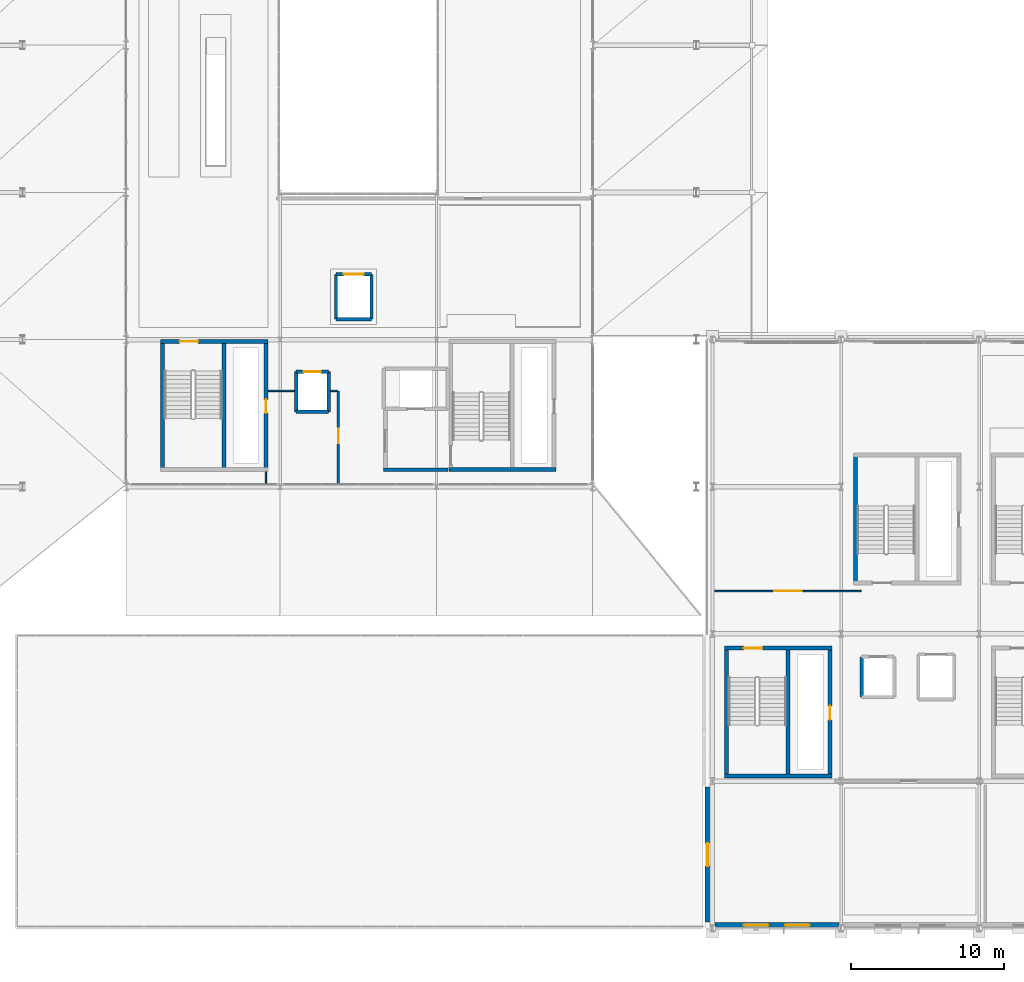
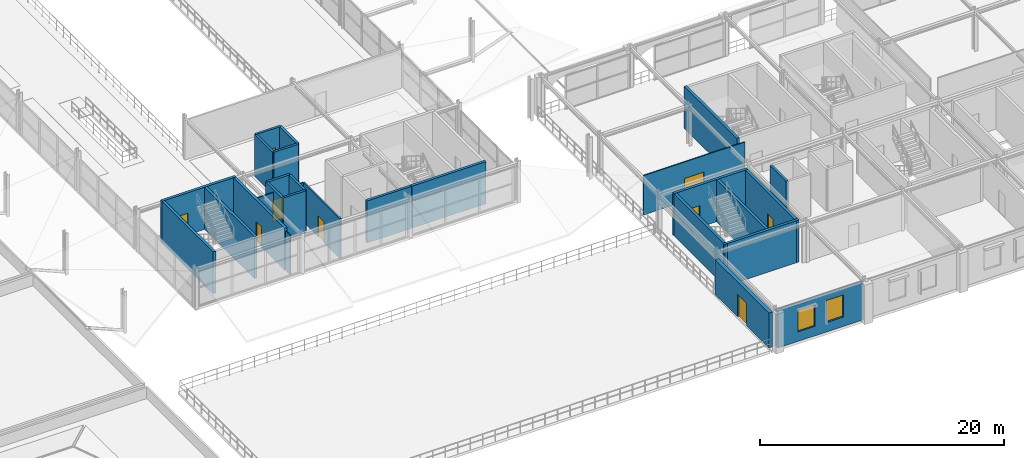
# One storey, part 45 of 81: 28 walls, 9 doors, 2 windows, 11 openings.
"""IFC4 building model written with IfcOpenShell, lengths in metres."""

from ifc_helpers import new_model, si_unit, direction, frame, frame_2d, origin, place, context, subcontext, project, spatial, rectangle, extrude, material, layer, layer_set, type_object, element, fill, save


model = new_model("IFC4")

# Units and contexts
model_context = context("Model", 3, precision=1e-05, world=origin(), true_north=direction((0.0, 1.0)))
body_context = subcontext(model_context, "Body", "Model", "MODEL_VIEW")
ifc_project = project(units=[si_unit("LENGTHUNIT", "METRE"), si_unit("AREAUNIT", "SQUARE_METRE"), si_unit("VOLUMEUNIT", "CUBIC_METRE"), si_unit("PLANEANGLEUNIT", "RADIAN"), si_unit("MASSUNIT", "GRAM", prefix="KILO")], contexts=[model_context])

# Site, building, storey
site_placement = place(None, origin())
site = spatial("IfcSite", under=ifc_project, at=site_placement, CompositionType="ELEMENT")
building_placement = place(site_placement, origin())
building = spatial("IfcBuilding", under=site, at=building_placement, Name="Myrtia Square Station", CompositionType="ELEMENT")
storey_placement = place(building_placement, frame((0.0, 0.0, 10.800048828125)))
storey = spatial("IfcBuildingStorey", under=building, at=storey_placement, Name="L02", CompositionType="ELEMENT", Elevation=10.800048828125)

# Wall, opening, door
ifc_material_1 = material(Name="Concrete C35/45", Category="concrete")
ifc_layer_1 = layer(ifc_material_1, 0.25, Name="Concrete C35/45")
ifc_layer_set_1 = layer_set([ifc_layer_1], Name="Concrete C35/45")
wall_type_1 = type_object("IfcWallType", Name="WL-CORE-250", PredefinedType="SHEAR", material=ifc_layer_set_1)
wall_1_placement = place(storey_placement, frame((81.60009765625, 38.27490234375, 0.0), z_axis=(0.0, 0.0, 1.0), x_axis=(1.0, 0.0, 0.0)))
wall_1 = element("IfcWall", 1, at=wall_1_placement, inside=storey, type_object=wall_type_1, Name="Core K1 shear wall L02 N", PredefinedType="SHEAR", context=body_context, shape_type="SweptSolid", body=[
    extrude(rectangle(XDim=7.0, YDim=0.25, at=frame_2d((3.5, 0.0))), origin(), (0.0, 0.0, 1.0), 4.199951171875),
])
opening_1_placement = place(wall_1_placement, frame((1.25, 0.0, 0.0)))
opening_1 = element("IfcOpeningElement", 2, at=opening_1_placement, cuts=wall_1, Name="Opening SD-007", PredefinedType="OPENING", context=body_context, shape_type="SweptSolid", body=[
    extrude(rectangle(XDim=1.199951171875, YDim=2.14990234375, at=frame_2d((0.60009765625, 1.074951171875))), frame((0.0, 0.139892578125, 0.0), z_axis=(0.0, -1.0, 0.0), x_axis=(1.0, 0.0, 0.0)), (0.0, 0.0, 1.0), 0.280029296875),
])
ifc_material_2 = material(Name="Dark bronze anodised aluminium", Category="aluminium")
door_type_1 = type_object("IfcDoorType", Name="DR-STAIR-1200x2150", OperationType="NOTDEFINED", PredefinedType="DOOR", material=ifc_material_2)
door_1_placement = place(opening_1_placement, frame((1.199951171875, 0.0, 0.0), z_axis=(0.0, 0.0, 1.0), x_axis=(-1.0, 0.0, 0.0)))
door_1 = element("IfcDoor", 3, at=door_1_placement, inside=storey, type_object=door_type_1, Name="Protected stair fire door K1 L02", OperationType="SINGLE_SWING_LEFT", OverallHeight=2.14990234375, OverallWidth=1.199951171875, PredefinedType="DOOR", context=body_context, shape_type="SweptSolid", body=[
    extrude(rectangle(XDim=1.199951171875, YDim=2.14990234375, at=frame_2d((0.60009765625, 1.074951171875))), frame((0.0, 0.02490234375, 0.0), z_axis=(0.0, -1.0, 0.0), x_axis=(1.0, 0.0, 0.0)), (0.0, 0.0, 1.0), 0.050048828125),
])
fill(opening_1, door_1)

# Wall
wall_2_placement = place(storey_placement, frame((81.72509765625, 29.800048828125, 0.0), z_axis=(0.0, 0.0, 1.0), x_axis=(0.0, 1.0, 0.0)))
element("IfcWall", 4, at=wall_2_placement, inside=storey, type_object=wall_type_1, Name="Core K1 shear wall L02 W", PredefinedType="SHEAR", context=body_context, shape_type="SweptSolid", body=[
    extrude(rectangle(XDim=8.599853515625, YDim=0.25, at=frame_2d((4.2998046875, 0.0))), origin(), (0.0, 0.0, 1.0), 4.199951171875),
])

# Wall, opening, door
wall_3_placement = place(storey_placement, frame((88.47509765625, 29.800048828125, 0.0), z_axis=(0.0, 0.0, 1.0), x_axis=(0.0, 1.0, 0.0)))
wall_3 = element("IfcWall", 5, at=wall_3_placement, inside=storey, type_object=wall_type_1, Name="Core K1 shear wall L02 E", PredefinedType="SHEAR", context=body_context, shape_type="SweptSolid", body=[
    extrude(rectangle(XDim=8.599853515625, YDim=0.25, at=frame_2d((4.2998046875, 0.0))), origin(), (0.0, 0.0, 1.0), 4.199951171875),
])
opening_2_placement = place(wall_3_placement, frame((3.800048828125, 0.0, 0.0)))
opening_2 = element("IfcOpeningElement", 6, at=opening_2_placement, cuts=wall_3, Name="Opening RD-008", PredefinedType="OPENING", context=body_context, shape_type="SweptSolid", body=[
    extrude(rectangle(XDim=0.89990234375, YDim=2.050048828125, at=frame_2d((0.449951171875, 1.02490234375))), frame((0.0, 0.139892578125, 0.0), z_axis=(0.0, -1.0, 0.0), x_axis=(1.0, 0.0, 0.0)), (0.0, 0.0, 1.0), 0.280029296875),
])
door_type_2 = type_object("IfcDoorType", Name="DR-RISER-900x2050", OperationType="NOTDEFINED", PredefinedType="DOOR", material=ifc_material_2)
door_2_placement = place(opening_2_placement, origin())
door_2 = element("IfcDoor", 7, at=door_2_placement, inside=storey, type_object=door_type_2, Name="Riser cupboard access door K1 L02", OperationType="SINGLE_SWING_RIGHT", OverallHeight=2.050048828125, OverallWidth=0.89990234375, PredefinedType="DOOR", context=body_context, shape_type="SweptSolid", body=[
    extrude(rectangle(XDim=0.89990234375, YDim=2.050048828125, at=frame_2d((0.449951171875, 1.02490234375))), frame((0.0, 0.02490234375, 0.0), z_axis=(0.0, -1.0, 0.0), x_axis=(1.0, 0.0, 0.0)), (0.0, 0.0, 1.0), 0.050048828125),
])
fill(opening_2, door_2)

# Walls
wall_4_placement = place(storey_placement, frame((85.739990234375, 30.0, 0.0), z_axis=(0.0, 0.0, 1.0), x_axis=(0.0, 1.0, 0.0)))
element("IfcWall", 8, at=wall_4_placement, inside=storey, type_object=wall_type_1, Name="Core K1 shear wall L02 D", PredefinedType="SHEAR", context=body_context, shape_type="SweptSolid", body=[
    extrude(rectangle(XDim=8.199951171875, YDim=0.25, at=frame_2d((4.10009765625, 0.0))), origin(), (0.0, 0.0, 1.0), 4.199951171875),
])
for number, where, z_axis, x_axis, name in (
    (9, (100.39990234375, 29.925048828125, 0.0), (0.0, 0.0, 1.0), (1.0, 0.0, 0.0), "Core K3 shear wall L02 S"),
    (10, (118.39990234375, 9.925048828125, 0.0), (0.0, 0.0, 1.0), (1.0, 0.0, 0.0), "Core K5 shear wall L02 S"),
):
    element("IfcWall", number, at=place(storey_placement, frame(where, z_axis=z_axis, x_axis=x_axis)), inside=storey, type_object=wall_type_1, Name=name, PredefinedType="SHEAR", context=body_context, shape_type="SweptSolid", body=[
        extrude(rectangle(XDim=7.0, YDim=0.25, at=frame_2d((3.5, 0.0))), origin(), (0.0, 0.0, 1.0), 4.199951171875),
    ])

# Wall, opening, door
wall_5_placement = place(storey_placement, frame((118.39990234375, 18.27490234375, 0.0), z_axis=(0.0, 0.0, 1.0), x_axis=(1.0, 0.0, 0.0)))
wall_5 = element("IfcWall", 11, at=wall_5_placement, inside=storey, type_object=wall_type_1, Name="Core K5 shear wall L02 N", PredefinedType="SHEAR", context=body_context, shape_type="SweptSolid", body=[
    extrude(rectangle(XDim=7.0, YDim=0.25, at=frame_2d((3.5, 0.0))), origin(), (0.0, 0.0, 1.0), 4.199951171875),
])
opening_3_placement = place(wall_5_placement, frame((1.25, 0.0, 0.0)))
opening_3 = element("IfcOpeningElement", 12, at=opening_3_placement, cuts=wall_5, Name="Opening SD-057", PredefinedType="OPENING", context=body_context, shape_type="SweptSolid", body=[
    extrude(rectangle(XDim=1.199951171875, YDim=2.14990234375, at=frame_2d((0.60009765625, 1.074951171875))), frame((0.0, 0.139892578125, 0.0), z_axis=(0.0, -1.0, 0.0), x_axis=(1.0, 0.0, 0.0)), (0.0, 0.0, 1.0), 0.280029296875),
])
door_3_placement = place(opening_3_placement, frame((1.199951171875, 0.0, 0.0), z_axis=(0.0, 0.0, 1.0), x_axis=(-1.0, 0.0, 0.0)))
door_3 = element("IfcDoor", 13, at=door_3_placement, inside=storey, type_object=door_type_1, Name="Protected stair fire door K5 L02", OperationType="SINGLE_SWING_LEFT", OverallHeight=2.14990234375, OverallWidth=1.199951171875, PredefinedType="DOOR", context=body_context, shape_type="SweptSolid", body=[
    extrude(rectangle(XDim=1.199951171875, YDim=2.14990234375, at=frame_2d((0.60009765625, 1.074951171875))), frame((0.0, 0.02490234375, 0.0), z_axis=(0.0, -1.0, 0.0), x_axis=(1.0, 0.0, 0.0)), (0.0, 0.0, 1.0), 0.050048828125),
])
fill(opening_3, door_3)

# Wall
wall_6_placement = place(storey_placement, frame((118.52490234375, 9.800048828125, 0.0), z_axis=(0.0, 0.0, 1.0), x_axis=(0.0, 1.0, 0.0)))
element("IfcWall", 14, at=wall_6_placement, inside=storey, type_object=wall_type_1, Name="Core K5 shear wall L02 W", PredefinedType="SHEAR", context=body_context, shape_type="SweptSolid", body=[
    extrude(rectangle(XDim=8.599853515625, YDim=0.25, at=frame_2d((4.2998046875, 0.0))), origin(), (0.0, 0.0, 1.0), 4.199951171875),
])

# Wall, opening, door
wall_7_placement = place(storey_placement, frame((125.27490234375, 9.800048828125, 0.0), z_axis=(0.0, 0.0, 1.0), x_axis=(0.0, 1.0, 0.0)))
wall_7 = element("IfcWall", 15, at=wall_7_placement, inside=storey, type_object=wall_type_1, Name="Core K5 shear wall L02 E", PredefinedType="SHEAR", context=body_context, shape_type="SweptSolid", body=[
    extrude(rectangle(XDim=8.599853515625, YDim=0.25, at=frame_2d((4.2998046875, 0.0))), origin(), (0.0, 0.0, 1.0), 4.199951171875),
])
opening_4_placement = place(wall_7_placement, frame((3.800048828125, 0.0, 0.0)))
opening_4 = element("IfcOpeningElement", 16, at=opening_4_placement, cuts=wall_7, Name="Opening RD-058", PredefinedType="OPENING", context=body_context, shape_type="SweptSolid", body=[
    extrude(rectangle(XDim=0.89990234375, YDim=2.050048828125, at=frame_2d((0.449951171875, 1.02490234375))), frame((0.0, 0.139892578125, 0.0), z_axis=(0.0, -1.0, 0.0), x_axis=(1.0, 0.0, 0.0)), (0.0, 0.0, 1.0), 0.280029296875),
])
door_4_placement = place(opening_4_placement, origin())
door_4 = element("IfcDoor", 17, at=door_4_placement, inside=storey, type_object=door_type_2, Name="Riser cupboard access door K5 L02", OperationType="SINGLE_SWING_RIGHT", OverallHeight=2.050048828125, OverallWidth=0.89990234375, PredefinedType="DOOR", context=body_context, shape_type="SweptSolid", body=[
    extrude(rectangle(XDim=0.89990234375, YDim=2.050048828125, at=frame_2d((0.449951171875, 1.02490234375))), frame((0.0, 0.02490234375, 0.0), z_axis=(0.0, -1.0, 0.0), x_axis=(1.0, 0.0, 0.0)), (0.0, 0.0, 1.0), 0.050048828125),
])
fill(opening_4, door_4)

# Walls
wall_8_placement = place(storey_placement, frame((122.5400390625, 10.0, 0.0), z_axis=(0.0, 0.0, 1.0), x_axis=(0.0, 1.0, 0.0)))
element("IfcWall", 18, at=wall_8_placement, inside=storey, type_object=wall_type_1, Name="Core K5 shear wall L02 D", PredefinedType="SHEAR", context=body_context, shape_type="SweptSolid", body=[
    extrude(rectangle(XDim=8.199951171875, YDim=0.25, at=frame_2d((4.10009765625, 0.0))), origin(), (0.0, 0.0, 1.0), 4.199951171875),
])
wall_9_placement = place(storey_placement, frame((126.925048828125, 22.39990234375, 0.0), z_axis=(0.0, 0.0, 1.0), x_axis=(0.0, 1.0, 0.0)))
element("IfcWall", 19, at=wall_9_placement, inside=storey, type_object=wall_type_1, Name="Core K10 shear wall L02 W", PredefinedType="SHEAR", context=body_context, shape_type="SweptSolid", body=[
    extrude(rectangle(XDim=8.60009765625, YDim=0.25, at=frame_2d((4.300048828125, 0.0))), origin(), (0.0, 0.0, 1.0), 4.199951171875),
])

# Wall, opening, door
ifc_material_3 = material(Name="Cream lime stucco on clay brick masonry", Category="masonry")
ifc_layer_2 = layer(ifc_material_3, 0.340087890625, Name="Cream lime stucco on clay brick masonry")
ifc_layer_set_2 = layer_set([ifc_layer_2], Name="Cream lime stucco on clay brick masonry")
wall_type_2 = type_object("IfcWallType", Name="WL-EXT-STUCCO-340", PredefinedType="SOLIDWALL", material=ifc_layer_set_2)
wall_10_placement = place(storey_placement, frame((117.300048828125, 0.39990234375, 0.0), z_axis=(0.0, 0.0, 1.0), x_axis=(0.0, 1.0, 0.0)))
wall_10 = element("IfcWall", 20, at=wall_10_placement, inside=storey, type_object=wall_type_2, Name="Exterior envelope wall EW-L02-0077", PredefinedType="SOLIDWALL", context=body_context, shape_type="SweptSolid", body=[
    extrude(rectangle(XDim=8.800048828125, YDim=0.340087890625, at=frame_2d((4.39990234375, 0.0))), origin(), (0.0, 0.0, 1.0), 3.489990234375),
])
opening_5_placement = place(wall_10_placement, frame((3.64990234375, 0.0, 0.0)))
opening_5 = element("IfcOpeningElement", 21, at=opening_5_placement, cuts=wall_10, Name="Opening ED-032", PredefinedType="OPENING", context=body_context, shape_type="SweptSolid", body=[
    extrude(rectangle(XDim=1.5, YDim=2.25, at=frame_2d((0.75, 1.125))), frame((0.0, 0.18505859375, 0.0), z_axis=(0.0, -1.0, 0.0), x_axis=(1.0, 0.0, 0.0)), (0.0, 0.0, 1.0), 0.3701171875),
])
door_type_3 = type_object("IfcDoorType", Name="DR-TER-1500x2250", OperationType="NOTDEFINED", PredefinedType="DOOR", material=ifc_material_2)
door_5_placement = place(opening_5_placement, origin())
door_5 = element("IfcDoor", 22, at=door_5_placement, inside=storey, type_object=door_type_3, Name="Patio terrace door ED-032", OperationType="SINGLE_SWING_LEFT", OverallHeight=2.25, OverallWidth=1.5, PredefinedType="DOOR", context=body_context, shape_type="SweptSolid", body=[
    extrude(rectangle(XDim=1.5, YDim=2.25, at=frame_2d((0.75, 1.125))), frame((0.0, 0.02490234375, 0.0), z_axis=(0.0, -1.0, 0.0), x_axis=(1.0, 0.0, 0.0)), (0.0, 0.0, 1.0), 0.050048828125),
])
fill(opening_5, door_5)

# Wall, openings, windows
ifc_layer_3 = layer(ifc_material_3, 0.360107421875, Name="Cream lime stucco on clay brick masonry")
ifc_layer_set_3 = layer_set([ifc_layer_3], Name="Cream lime stucco on clay brick masonry")
wall_type_3 = type_object("IfcWallType", Name="WL-EXT-STUCCO-360", PredefinedType="SOLIDWALL", material=ifc_layer_set_3)
wall_11_placement = place(storey_placement, frame((117.7548828125, 0.199951171875, 0.0), z_axis=(0.0, 0.0, 1.0), x_axis=(1.0, 0.0, 0.0)))
wall_11 = element("IfcWall", 23, at=wall_11_placement, inside=storey, type_object=wall_type_3, Name="Exterior envelope wall EW-L02-0054", PredefinedType="SOLIDWALL", context=body_context, shape_type="SweptSolid", body=[
    extrude(rectangle(XDim=8.090087890625, YDim=0.360107421875, at=frame_2d((4.044921875, 0.0))), origin(), (0.0, 0.0, 1.0), 3.68994140625),
])
opening_6_placement = place(wall_11_placement, frame((1.89697265625, 0.0, 0.949951171875)))
opening_6 = element("IfcOpeningElement", 24, at=opening_6_placement, cuts=wall_11, Name="Opening WN-049", PredefinedType="OPENING", context=body_context, shape_type="SweptSolid", body=[
    extrude(rectangle(XDim=1.60009765625, YDim=2.199951171875, at=frame_2d((0.800048828125, 1.10009765625))), frame((0.0, 0.195068359375, 0.0), z_axis=(0.0, -1.0, 0.0), x_axis=(1.0, 0.0, 0.0)), (0.0, 0.0, 1.0), 0.39013671875),
])
opening_7_placement = place(wall_11_placement, frame((4.593017578125, 0.0, 0.949951171875)))
opening_7 = element("IfcOpeningElement", 25, at=opening_7_placement, cuts=wall_11, Name="Opening WN-050", PredefinedType="OPENING", context=body_context, shape_type="SweptSolid", body=[
    extrude(rectangle(XDim=1.60009765625, YDim=2.199951171875, at=frame_2d((0.800048828125, 1.10009765625))), frame((0.0, 0.195068359375, 0.0), z_axis=(0.0, -1.0, 0.0), x_axis=(1.0, 0.0, 0.0)), (0.0, 0.0, 1.0), 0.39013671875),
])
ifc_material_4 = material(Name="Tinted low-E solar control glass", Category="glass")
window_type = type_object("IfcWindowType", Name="WN-PAIR-1600x2200", PartitioningType="SINGLE_PANEL", PredefinedType="WINDOW", material=ifc_material_4)
window_1_placement = place(opening_6_placement, origin())
window_1 = element("IfcWindow", 26, at=window_1_placement, inside=storey, type_object=window_type, Name="Window WN-049", OverallHeight=2.199951171875, OverallWidth=1.60009765625, PartitioningType="SINGLE_PANEL", PredefinedType="WINDOW", context=body_context, shape_type="SweptSolid", body=[
    extrude(rectangle(XDim=1.60009765625, YDim=2.199951171875, at=frame_2d((0.800048828125, 1.10009765625))), frame((0.0, 0.030029296875, 0.0), z_axis=(0.0, -1.0, 0.0), x_axis=(1.0, 0.0, 0.0)), (0.0, 0.0, 1.0), 0.06005859375),
])
fill(opening_6, window_1)
window_2_placement = place(opening_7_placement, origin())
window_2 = element("IfcWindow", 27, at=window_2_placement, inside=storey, type_object=window_type, Name="Window WN-050", OverallHeight=2.199951171875, OverallWidth=1.60009765625, PartitioningType="SINGLE_PANEL", PredefinedType="WINDOW", context=body_context, shape_type="SweptSolid", body=[
    extrude(rectangle(XDim=1.60009765625, YDim=2.199951171875, at=frame_2d((0.800048828125, 1.10009765625))), frame((0.0, 0.030029296875, 0.0), z_axis=(0.0, -1.0, 0.0), x_axis=(1.0, 0.0, 0.0)), (0.0, 0.0, 1.0), 0.06005859375),
])
fill(opening_7, window_2)

# Walls
ifc_layer_4 = layer(ifc_material_1, 0.239990234375, Name="Concrete C35/45")
ifc_layer_set_4 = layer_set([ifc_layer_4], Name="Concrete C35/45")
wall_type_4 = type_object("IfcWallType", Name="WL-FFL-240", PredefinedType="SHEAR", material=ifc_layer_set_4)
wall_12_placement = place(storey_placement, frame((96.14990234375, 29.919921875, 0.0), z_axis=(0.0, 0.0, 1.0), x_axis=(1.0, 0.0, 0.0)))
element("IfcWall", 28, at=wall_12_placement, inside=storey, type_object=wall_type_4, Name="Firefighting lift lobby EI 120 wall K3 L02 S", PredefinedType="SHEAR", context=body_context, shape_type="SweptSolid", body=[
    extrude(rectangle(XDim=4.2001953125, YDim=0.239990234375, at=frame_2d((2.10009765625, 0.0))), origin(), (0.0, 0.0, 1.0), 4.199951171875),
])
ifc_layer_5 = layer(ifc_material_1, 0.219970703125, Name="Concrete C35/45")
ifc_layer_set_5 = layer_set([ifc_layer_5], Name="Concrete C35/45")
wall_type_5 = type_object("IfcWallType", Name="WL-LIFT-220", PredefinedType="SHEAR", material=ifc_layer_set_5)
wall_13_placement = place(storey_placement, frame((90.43994140625, 33.68994140625, 0.0), z_axis=(0.0, 0.0, 1.0), x_axis=(1.0, 0.0, 0.0)))
element("IfcWall", 29, at=wall_13_placement, inside=storey, type_object=wall_type_5, Name="Lift shaft wall PL-05 L02 -Y", PredefinedType="SHEAR", context=body_context, shape_type="SweptSolid", body=[
    extrude(rectangle(XDim=2.1201171875, YDim=0.219970703125, at=frame_2d((1.06005859375, 0.0))), origin(), (0.0, 0.0, 1.0), 4.199951171875),
])

# Wall, opening, door
wall_14_placement = place(storey_placement, frame((90.43994140625, 36.31005859375, 0.0), z_axis=(0.0, 0.0, 1.0), x_axis=(1.0, 0.0, 0.0)))
wall_14 = element("IfcWall", 30, at=wall_14_placement, inside=storey, type_object=wall_type_5, Name="Lift shaft wall PL-05 L02 +Y", PredefinedType="SHEAR", context=body_context, shape_type="SweptSolid", body=[
    extrude(rectangle(XDim=2.1201171875, YDim=0.219970703125, at=frame_2d((1.06005859375, 0.0))), origin(), (0.0, 0.0, 1.0), 4.199951171875),
])
opening_8_placement = place(wall_14_placement, frame((0.510009765625, 0.0, 0.0)))
opening_8 = element("IfcOpeningElement", 31, at=opening_8_placement, cuts=wall_14, Name="Opening LD-PL-05", PredefinedType="OPENING", context=body_context, shape_type="SweptSolid", body=[
    extrude(rectangle(XDim=1.10009765625, YDim=2.14990234375, at=frame_2d((0.550048828125, 1.074951171875))), frame((0.0, 0.125, 0.0), z_axis=(0.0, -1.0, 0.0), x_axis=(1.0, 0.0, 0.0)), (0.0, 0.0, 1.0), 0.25),
])
door_type_4 = type_object("IfcDoorType", Name="DR-LIFT-1100x2150", OperationType="NOTDEFINED", PredefinedType="DOOR", material=ifc_material_2)
door_6_placement = place(opening_8_placement, origin())
door_6 = element("IfcDoor", 32, at=door_6_placement, inside=storey, type_object=door_type_4, Name="Lift landing door PL-05 L02", OperationType="SLIDING_TO_RIGHT", OverallHeight=2.14990234375, OverallWidth=1.10009765625, PredefinedType="DOOR", context=body_context, shape_type="SweptSolid", body=[
    extrude(rectangle(XDim=1.10009765625, YDim=2.14990234375, at=frame_2d((0.550048828125, 1.074951171875))), frame((0.0, 0.02490234375, 0.0), z_axis=(0.0, -1.0, 0.0), x_axis=(1.0, 0.0, 0.0)), (0.0, 0.0, 1.0), 0.050048828125),
])
fill(opening_8, door_6)

# Walls
for number, where, z_axis, x_axis, name in (
    (33, (90.43994140625, 33.68994140625, 0.0), (0.0, 0.0, 1.0), (0.0, 1.0, 0.0), "Lift shaft wall PL-05 L02 -X"),
    (34, (92.56005859375, 33.68994140625, 0.0), (0.0, 0.0, 1.0), (0.0, 1.0, 0.0), "Lift shaft wall PL-05 L02 +X"),
):
    element("IfcWall", number, at=place(storey_placement, frame(where, z_axis=z_axis, x_axis=x_axis)), inside=storey, type_object=wall_type_5, Name=name, PredefinedType="SHEAR", context=body_context, shape_type="SweptSolid", body=[
        extrude(rectangle(XDim=2.6201171875, YDim=0.219970703125, at=frame_2d((1.31005859375, 0.0))), origin(), (0.0, 0.0, 1.0), 4.199951171875),
    ])
wall_15_placement = place(storey_placement, frame((127.340087890625, 15.090087890625, 0.0), z_axis=(0.0, 0.0, 1.0), x_axis=(0.0, 1.0, 0.0)))
element("IfcWall", 35, at=wall_15_placement, inside=storey, type_object=wall_type_5, Name="Lift shaft wall PL-07 L02 -X", PredefinedType="SHEAR", context=body_context, shape_type="SweptSolid", body=[
    extrude(rectangle(XDim=2.619873046875, YDim=0.219970703125, at=frame_2d((1.31005859375, 0.0))), origin(), (0.0, 0.0, 1.0), 4.199951171875),
])
wall_16_placement = place(storey_placement, frame((93.0400390625, 39.739990234375, 0.0), z_axis=(0.0, 0.0, 1.0), x_axis=(1.0, 0.0, 0.0)))
element("IfcWall", 36, at=wall_16_placement, inside=storey, type_object=wall_type_5, Name="Lift shaft wall GL-01 L02 -Y", PredefinedType="SHEAR", context=body_context, shape_type="SweptSolid", body=[
    extrude(rectangle(XDim=2.320068359375, YDim=0.219970703125, at=frame_2d((1.16015625, 0.0))), origin(), (0.0, 0.0, 1.0), 4.199951171875),
])

# Wall, opening, door
wall_17_placement = place(storey_placement, frame((93.0400390625, 42.659912109375, 0.0), z_axis=(0.0, 0.0, 1.0), x_axis=(1.0, 0.0, 0.0)))
wall_17 = element("IfcWall", 37, at=wall_17_placement, inside=storey, type_object=wall_type_5, Name="Lift shaft wall GL-01 L02 +Y", PredefinedType="SHEAR", context=body_context, shape_type="SweptSolid", body=[
    extrude(rectangle(XDim=2.320068359375, YDim=0.219970703125, at=frame_2d((1.16015625, 0.0))), origin(), (0.0, 0.0, 1.0), 4.199951171875),
])
opening_9_placement = place(wall_17_placement, frame((0.510009765625, 0.0, 0.0)))
opening_9 = element("IfcOpeningElement", 38, at=opening_9_placement, cuts=wall_17, Name="Opening LD-GL-01", PredefinedType="OPENING", context=body_context, shape_type="SweptSolid", body=[
    extrude(rectangle(XDim=1.300048828125, YDim=2.25, at=frame_2d((0.64990234375, 1.125))), frame((0.0, 0.125, 0.0), z_axis=(0.0, -1.0, 0.0), x_axis=(1.0, 0.0, 0.0)), (0.0, 0.0, 1.0), 0.25),
])
door_type_5 = type_object("IfcDoorType", Name="DR-LIFT-1300x2250", OperationType="NOTDEFINED", PredefinedType="DOOR", material=ifc_material_2)
door_7_placement = place(opening_9_placement, origin())
door_7 = element("IfcDoor", 39, at=door_7_placement, inside=storey, type_object=door_type_5, Name="Lift landing door GL-01 L02", OperationType="SLIDING_TO_LEFT", OverallHeight=2.25, OverallWidth=1.300048828125, PredefinedType="DOOR", context=body_context, shape_type="SweptSolid", body=[
    extrude(rectangle(XDim=1.300048828125, YDim=2.25, at=frame_2d((0.64990234375, 1.125))), frame((0.0, 0.02490234375, 0.0), z_axis=(0.0, -1.0, 0.0), x_axis=(1.0, 0.0, 0.0)), (0.0, 0.0, 1.0), 0.050048828125),
])
fill(opening_9, door_7)

# Walls
for number, where, z_axis, x_axis, name in (
    (40, (93.0400390625, 39.739990234375, 0.0), (0.0, 0.0, 1.0), (0.0, 1.0, 0.0), "Lift shaft wall GL-01 L02 -X"),
    (41, (95.360107421875, 39.739990234375, 0.0), (0.0, 0.0, 1.0), (0.0, 1.0, 0.0), "Lift shaft wall GL-01 L02 +X"),
):
    element("IfcWall", number, at=place(storey_placement, frame(where, z_axis=z_axis, x_axis=x_axis)), inside=storey, type_object=wall_type_5, Name=name, PredefinedType="SHEAR", context=body_context, shape_type="SweptSolid", body=[
        extrude(rectangle(XDim=2.919921875, YDim=0.219970703125, at=frame_2d((1.4599609375, 0.0))), origin(), (0.0, 0.0, 1.0), 4.199951171875),
    ])

# Wall, opening, door
ifc_material_5 = material(Name="Gypsum plasterboard")
ifc_layer_6 = layer(ifc_material_5, 0.10009765625, Name="Gypsum plasterboard")
ifc_layer_set_6 = layer_set([ifc_layer_6], Name="Gypsum plasterboard")
wall_type_6 = type_object("IfcWallType", Name="WL-PART-100", PredefinedType="PARTITIONING", material=ifc_layer_set_6)
wall_18_placement = place(storey_placement, frame((117.75, 22.0, 0.0), z_axis=(0.0, 0.0, 1.0), x_axis=(1.0, 0.0, 0.0)))
wall_18 = element("IfcWall", 42, at=wall_18_placement, inside=storey, type_object=wall_type_6, Name="Interior partition wall L02-06", PredefinedType="PARTITIONING", context=body_context, shape_type="SweptSolid", body=[
    extrude(rectangle(XDim=9.550048828125, YDim=0.10009765625, at=frame_2d((4.77490234375, 0.0))), origin(), (0.0, 0.0, 1.0), 3.93994140625),
])
opening_10_placement = place(wall_18_placement, frame((3.875, 0.0, 0.0)))
opening_10 = element("IfcOpeningElement", 43, at=opening_10_placement, cuts=wall_18, Name="Opening D-256", PredefinedType="OPENING", context=body_context, shape_type="SweptSolid", body=[
    extrude(rectangle(XDim=1.800048828125, YDim=2.300048828125, at=frame_2d((0.89990234375, 1.14990234375))), frame((0.0, 0.06494140625, 0.0), z_axis=(0.0, -1.0, 0.0), x_axis=(1.0, 0.0, 0.0)), (0.0, 0.0, 1.0), 0.130126953125),
])
door_type_6 = type_object("IfcDoorType", Name="DR-CORR-1800x2300", OperationType="NOTDEFINED", PredefinedType="DOOR", material=ifc_material_2)
door_8_placement = place(opening_10_placement, frame((1.800048828125, 0.0, 0.0), z_axis=(0.0, 0.0, 1.0), x_axis=(-1.0, 0.0, 0.0)))
door_8 = element("IfcDoor", 44, at=door_8_placement, inside=storey, type_object=door_type_6, Name="Mediterranean Station Dining Room door D-256", OperationType="DOUBLE_DOOR_SINGLE_SWING", OverallHeight=2.300048828125, OverallWidth=1.800048828125, PredefinedType="DOOR", context=body_context, shape_type="SweptSolid", body=[
    extrude(rectangle(XDim=1.800048828125, YDim=2.300048828125, at=frame_2d((0.89990234375, 1.14990234375))), frame((0.0, 0.02490234375, 0.0), z_axis=(0.0, -1.0, 0.0), x_axis=(1.0, 0.0, 0.0)), (0.0, 0.0, 1.0), 0.050048828125),
])
fill(opening_10, door_8)

# Walls
wall_19_placement = place(storey_placement, frame((88.6298828125, 35.050048828125, 0.0), z_axis=(0.0, 0.0, 1.0), x_axis=(1.0, 0.0, 0.0)))
element("IfcWall", 45, at=wall_19_placement, inside=storey, type_object=wall_type_6, Name="Sanitary enclosure partition L02-05", PredefinedType="PARTITIONING", context=body_context, shape_type="SweptSolid", body=[
    extrude(rectangle(XDim=1.690185546875, YDim=0.10009765625, at=frame_2d((0.84521484375, 0.0))), origin(), (0.0, 0.0, 1.0), 3.93994140625),
])
wall_20_placement = place(storey_placement, frame((92.679931640625, 35.050048828125, 0.0), z_axis=(0.0, 0.0, 1.0), x_axis=(1.0, 0.0, 0.0)))
element("IfcWall", 46, at=wall_20_placement, inside=storey, type_object=wall_type_6, Name="Sanitary enclosure partition L02-05", PredefinedType="PARTITIONING", context=body_context, shape_type="SweptSolid", body=[
    extrude(rectangle(XDim=0.440185546875, YDim=0.10009765625, at=frame_2d((0.22021484375, 0.0))), origin(), (0.0, 0.0, 1.0), 3.93994140625),
])
wall_21_placement = place(storey_placement, frame((88.469970703125, 29.0400390625, 0.0), z_axis=(0.0, 0.0, 1.0), x_axis=(0.0, 1.0, 0.0)))
element("IfcWall", 47, at=wall_21_placement, inside=storey, type_object=wall_type_6, Name="Sanitary enclosure partition L02-05", PredefinedType="PARTITIONING", context=body_context, shape_type="SweptSolid", body=[
    extrude(rectangle(XDim=0.72998046875, YDim=0.10009765625, at=frame_2d((0.364990234375, 0.0))), origin(), (0.0, 0.0, 1.0), 3.93994140625),
])

# Wall, opening, door
ifc_layer_7 = layer(ifc_material_5, 0.14990234375, Name="Gypsum plasterboard")
ifc_layer_set_7 = layer_set([ifc_layer_7], Name="Gypsum plasterboard")
wall_type_7 = type_object("IfcWallType", Name="WL-PART-150", PredefinedType="PARTITIONING", material=ifc_layer_set_7)
wall_22_placement = place(storey_placement, frame((93.199951171875, 29.034912109375, 0.0), z_axis=(0.0, 0.0, 1.0), x_axis=(0.0, 1.0, 0.0)))
wall_22 = element("IfcWall", 48, at=wall_22_placement, inside=storey, type_object=wall_type_7, Name="Interior partition wall L02-05", PredefinedType="PARTITIONING", context=body_context, shape_type="SweptSolid", body=[
    extrude(rectangle(XDim=6.01513671875, YDim=0.14990234375, at=frame_2d((3.007568359375, 0.0))), origin(), (0.0, 0.0, 1.0), 3.93994140625),
])
opening_11_placement = place(wall_22_placement, frame((2.590087890625, 0.0, 0.0)))
opening_11 = element("IfcOpeningElement", 49, at=opening_11_placement, cuts=wall_22, Name="Opening D-255", PredefinedType="OPENING", context=body_context, shape_type="SweptSolid", body=[
    extrude(rectangle(XDim=0.949951171875, YDim=2.10009765625, at=frame_2d((0.47509765625, 1.050048828125))), frame((0.0, 0.08984375, 0.0), z_axis=(0.0, -1.0, 0.0), x_axis=(1.0, 0.0, 0.0)), (0.0, 0.0, 1.0), 0.179931640625),
])
ifc_material_6 = material(Name="Acoustic European oak timber", Category="wood")
door_type_7 = type_object("IfcDoorType", Name="DR-WC-950x2100", OperationType="NOTDEFINED", PredefinedType="DOOR", material=ifc_material_6)
door_9_placement = place(opening_11_placement, frame((0.949951171875, 0.0, 0.0), z_axis=(0.0, 0.0, 1.0), x_axis=(-1.0, 0.0, 0.0)))
door_9 = element("IfcDoor", 50, at=door_9_placement, inside=storey, type_object=door_type_7, Name="Gallery Sanitary and Accessible WC door D-255", OperationType="SINGLE_SWING_LEFT", OverallHeight=2.10009765625, OverallWidth=0.949951171875, PredefinedType="DOOR", context=body_context, shape_type="SweptSolid", body=[
    extrude(rectangle(XDim=0.949951171875, YDim=2.10009765625, at=frame_2d((0.47509765625, 1.050048828125))), frame((0.0, 0.02490234375, 0.0), z_axis=(0.0, -1.0, 0.0), x_axis=(1.0, 0.0, 0.0)), (0.0, 0.0, 1.0), 0.050048828125),
])
fill(opening_11, door_9)

save(model, "model.ifc")
